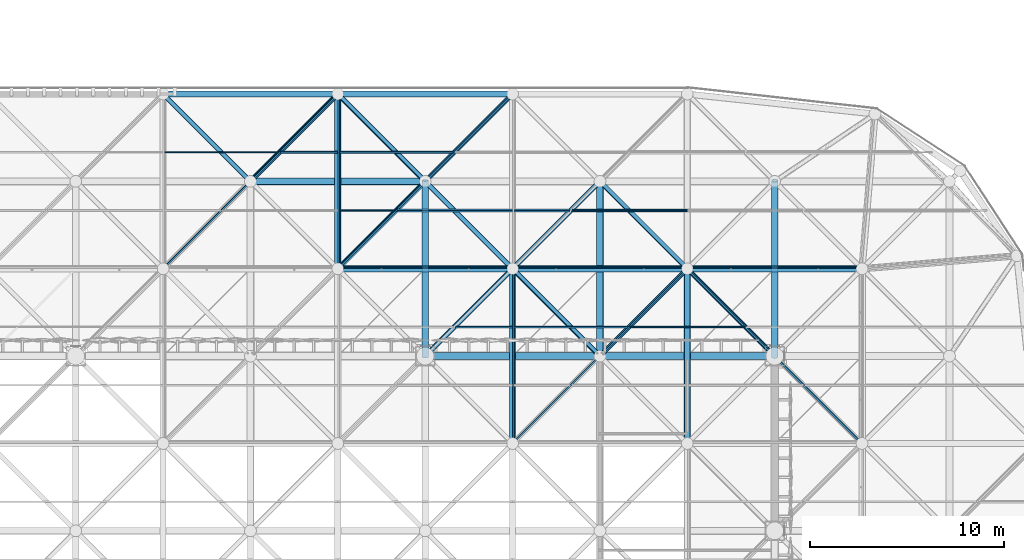
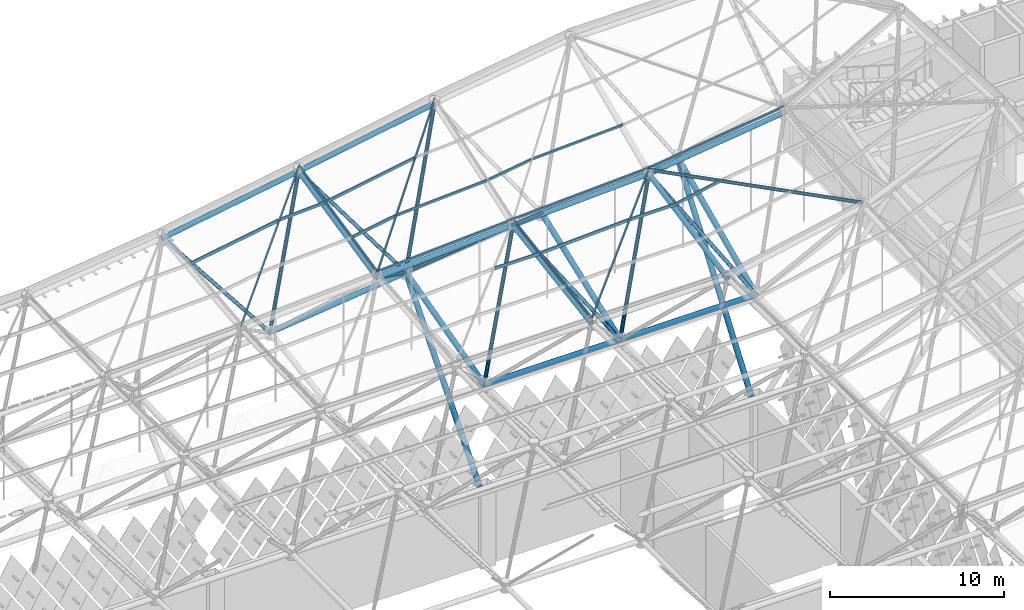
# One storey, part 194 of 437: 48 members.
"""IFC4 building model written with IfcOpenShell, lengths in metres."""

from ifc_helpers import new_model, si_unit, direction, frame, origin, origin_2d, place, context, subcontext, project, spatial, polyline, hollow_circle, outline, extrude, material, material_profile, profile_set, type_object, element, save


model = new_model("IFC4")

# Units and contexts
model_context = context("Model", 3, precision=1e-05, world=origin(), true_north=direction((0.0, 1.0)))
body_context = subcontext(model_context, "Body", "Model", "MODEL_VIEW")
ifc_project = project(units=[si_unit("LENGTHUNIT", "METRE"), si_unit("AREAUNIT", "SQUARE_METRE"), si_unit("VOLUMEUNIT", "CUBIC_METRE"), si_unit("PLANEANGLEUNIT", "RADIAN"), si_unit("MASSUNIT", "GRAM", prefix="KILO")], contexts=[model_context])

# Site, building, storey
site_placement = place(None, origin())
site = spatial("IfcSite", under=ifc_project, at=site_placement, CompositionType="ELEMENT")
building_placement = place(site_placement, origin())
building = spatial("IfcBuilding", under=site, at=building_placement, Name="Opaline Strait Convention Centre", CompositionType="ELEMENT")
storey_placement = place(building_placement, frame((0.0, 0.0, 11.5)))
storey = spatial("IfcBuildingStorey", under=building, at=storey_placement, Name="L02", CompositionType="ELEMENT", Elevation=11.5)

# Members
ifc_material = material(Name="Steel Q355B", Category="steel")
ifc_material_profile_1 = material_profile(ifc_material, hollow_circle(Radius=0.175537109375, WallThickness=0.01611328125, at=origin_2d()), Name="CHS 351x16")
ifc_profile_set_1 = profile_set([ifc_material_profile_1], Name="Steel Q355B")
member_type_1 = type_object("IfcMemberType", Name="Raking prop CHS 351x16", PredefinedType="BRACE", material=ifc_profile_set_1)
member_1_placement = place(storey_placement, frame((243.0, 153.51611328125, 5.0185546875), z_axis=(0.0, 0.651001904669, 0.759076096394), x_axis=(-1.0, 0.0, 0.0)))
element("IfcMember", 1, at=member_1_placement, inside=storey, type_object=member_type_1, Name="Raking prop 243/153 N", PredefinedType="BRACE", context=body_context, shape_type="SweptSolid", body=[
    extrude(hollow_circle(Radius=0.175537109375, WallThickness=0.01611328125, at=origin_2d()), origin(), (0.0, 0.0, 1.0), 13.08203125),
])
member_2_placement = place(storey_placement, frame((261.0, 153.51611328125, 5.02197265625), z_axis=(0.0, 0.58919697761, 0.807989431599), x_axis=(-1.0, 0.0, 0.0)))
element("IfcMember", 2, at=member_2_placement, inside=storey, type_object=member_type_1, Name="Raking prop 261/153 N", PredefinedType="BRACE", context=body_context, shape_type="SweptSolid", body=[
    extrude(hollow_circle(Radius=0.175537109375, WallThickness=0.01611328125, at=origin_2d()), origin(), (0.0, 0.0, 1.0), 14.44921875),
])
ifc_material_profile_2 = material_profile(ifc_material, outline(polyline([(-0.03759765625, -0.125), (0.03759765625, -0.125), (0.03759765625, -0.10498046875), (0.034912109375, -0.10498046875), (0.034912109375, -0.12255859375), (-0.034912109375, -0.12255859375), (-0.034912109375, 0.12255859375), (0.034912109375, 0.12255859375), (0.034912109375, 0.10498046875), (0.03759765625, 0.10498046875), (0.03759765625, 0.125), (-0.03759765625, 0.125), (-0.03759765625, -0.125)])), Name="C 250x75x20x2.5")
ifc_profile_set_2 = profile_set([ifc_material_profile_2], Name="Steel Q355B")
member_type_2 = type_object("IfcMemberType", Name="Roof purlin C 250x75x20x2.5", PredefinedType="PURLIN", material=ifc_profile_set_2)
member_3_placement = place(storey_placement, frame((244.550048828125, 154.5, 19.191650390625), z_axis=(1.0, 0.0, 0.0), x_axis=(0.0, 0.988092083083, 0.153863690806)))
element("IfcMember", 3, at=member_3_placement, inside=storey, type_object=member_type_2, Name="EXB-RF-P-17-12-1a", PredefinedType="PURLIN", context=body_context, shape_type="SweptSolid", body=[
    extrude(outline(polyline([(-0.03759765625, -0.125), (0.03759765625, -0.125), (0.03759765625, -0.10498046875), (0.034912109375, -0.10498046875), (0.034912109375, -0.12255859375), (-0.034912109375, -0.12255859375), (-0.034912109375, 0.12255859375), (0.034912109375, 0.12255859375), (0.034912109375, 0.10498046875), (0.03759765625, 0.10498046875), (0.03759765625, 0.125), (-0.03759765625, 0.125), (-0.03759765625, -0.125)])), origin(), (0.0, 0.0, 1.0), 2.949951171875),
])
member_4_placement = place(storey_placement, frame((247.5, 148.5, 18.255615234375), z_axis=(0.699850097558, 0.699850097558, 0.142897452374), x_axis=(-0.712685495403, 0.697562775149, 0.074064562165)))
element("IfcMember", 4, at=member_4_placement, inside=storey, type_object=member_type_2, Name="EXB-RF-F-18-12", PredefinedType="PURLIN", context=body_context, shape_type="SweptSolid", body=[
    extrude(outline(polyline([(-0.03759765625, -0.125), (0.03759765625, -0.125), (0.03759765625, -0.10498046875), (0.034912109375, -0.10498046875), (0.034912109375, -0.12255859375), (-0.034912109375, -0.12255859375), (-0.034912109375, 0.12255859375), (0.034912109375, 0.12255859375), (0.034912109375, 0.10498046875), (0.03759765625, 0.10498046875), (0.03759765625, 0.125), (-0.03759765625, 0.125), (-0.03759765625, -0.125)])), origin(), (0.0, 0.0, 1.0), 12.85986328125),
])
member_5_placement = place(storey_placement, frame((253.550048828125, 154.5, 19.48291015625), z_axis=(1.0, 0.0, 0.0), x_axis=(0.0, 0.97978004307, 0.200077652928)))
element("IfcMember", 5, at=member_5_placement, inside=storey, type_object=member_type_2, Name="EXB-RF-P-18-12-1a", PredefinedType="PURLIN", context=body_context, shape_type="SweptSolid", body=[
    extrude(outline(polyline([(-0.03759765625, -0.125), (0.03759765625, -0.125), (0.03759765625, -0.10498046875), (0.034912109375, -0.10498046875), (0.034912109375, -0.12255859375), (-0.034912109375, -0.12255859375), (-0.034912109375, 0.12255859375), (0.034912109375, 0.12255859375), (0.034912109375, 0.10498046875), (0.03759765625, 0.10498046875), (0.03759765625, 0.125), (-0.03759765625, 0.125), (-0.03759765625, -0.125)])), origin(), (0.0, 0.0, 1.0), 2.949951171875),
])
member_6_placement = place(storey_placement, frame((247.545654296875, 148.449951171875, 18.251953125), z_axis=(0.0, 0.988093016125, 0.153857698814), x_axis=(-0.998854157138, 0.007363297001, -0.047287996623)))
element("IfcMember", 6, at=member_6_placement, inside=storey, type_object=member_type_2, Name="EXB-RF-E-18-12b", PredefinedType="PURLIN", context=body_context, shape_type="SweptSolid", body=[
    extrude(outline(polyline([(-0.03759765625, -0.125), (0.03759765625, -0.125), (0.03759765625, -0.10498046875), (0.034912109375, -0.10498046875), (0.034912109375, -0.12255859375), (-0.034912109375, -0.12255859375), (-0.034912109375, 0.12255859375), (0.034912109375, 0.12255859375), (0.034912109375, 0.10498046875), (0.03759765625, 0.10498046875), (0.03759765625, 0.125), (-0.03759765625, 0.125), (-0.03759765625, -0.125)])), origin(), (0.0, 0.0, 1.0), 9.209716796875),
])
member_7_placement = place(storey_placement, frame((247.580322265625, 154.5, 19.19580078125), z_axis=(0.998826020223, 0.0, 0.048441524814), x_axis=(-0.007453391796, 0.988092083083, 0.153683057944)))
element("IfcMember", 7, at=member_7_placement, inside=storey, type_object=member_type_2, Name="EXB-RF-P-18-12-1b", PredefinedType="PURLIN", context=body_context, shape_type="SweptSolid", body=[
    extrude(outline(polyline([(-0.03759765625, -0.125), (0.03759765625, -0.125), (0.03759765625, -0.10498046875), (0.034912109375, -0.10498046875), (0.034912109375, -0.12255859375), (-0.034912109375, -0.12255859375), (-0.034912109375, 0.12255859375), (0.034912109375, 0.12255859375), (0.034912109375, 0.10498046875), (0.03759765625, 0.10498046875), (0.03759765625, 0.125), (-0.03759765625, 0.125), (-0.03759765625, -0.125)])), origin(), (0.0, 0.0, 1.0), 5.87646484375),
])
member_8_placement = place(storey_placement, frame((265.5, 148.5, 20.094970703125), z_axis=(-0.707106781187, 0.707106781187, 0.0), x_axis=(-0.695418880638, -0.695418880638, -0.181066730526)))
element("IfcMember", 8, at=member_8_placement, inside=storey, type_object=member_type_2, Name="EXB-RF-F-19-12", PredefinedType="PURLIN", context=body_context, shape_type="SweptSolid", body=[
    extrude(outline(polyline([(-0.03759765625, -0.125), (0.03759765625, -0.125), (0.03759765625, -0.10498046875), (0.034912109375, -0.10498046875), (0.034912109375, -0.12255859375), (-0.034912109375, -0.12255859375), (-0.034912109375, 0.12255859375), (0.034912109375, 0.12255859375), (0.034912109375, 0.10498046875), (0.03759765625, 0.10498046875), (0.03759765625, 0.125), (-0.03759765625, 0.125), (-0.03759765625, -0.125)])), origin(), (0.0, 0.0, 1.0), 12.72802734375),
])
member_9_placement = place(storey_placement, frame((256.5, 154.5, 19.485595703125), z_axis=(0.97978687137, 0.0, 0.200044211841), x_axis=(-0.040024376387, 0.97978004307, 0.196033457593)))
element("IfcMember", 9, at=member_9_placement, inside=storey, type_object=member_type_2, Name="EXB-RF-P-19-12-1b", PredefinedType="PURLIN", context=body_context, shape_type="SweptSolid", body=[
    extrude(outline(polyline([(-0.03759765625, -0.125), (0.03759765625, -0.125), (0.03759765625, -0.10498046875), (0.034912109375, -0.10498046875), (0.034912109375, -0.12255859375), (-0.034912109375, -0.12255859375), (-0.034912109375, 0.12255859375), (0.034912109375, 0.12255859375), (0.034912109375, 0.10498046875), (0.03759765625, 0.10498046875), (0.03759765625, 0.125), (-0.03759765625, 0.125), (-0.03759765625, -0.125)])), origin(), (0.0, 0.0, 1.0), 3.0107421875),
])
member_10_placement = place(storey_placement, frame((229.5, 157.5, 18.656494140625), z_axis=(0.694204223982, 0.694204223982, 0.190160434401), x_axis=(-0.717833830455, 0.687135763969, 0.112067094763)))
element("IfcMember", 10, at=member_10_placement, inside=storey, type_object=member_type_2, Name="EXB-RF-F-16-13", PredefinedType="PURLIN", context=body_context, shape_type="SweptSolid", body=[
    extrude(outline(polyline([(-0.03759765625, -0.125), (0.03759765625, -0.125), (0.03759765625, -0.10498046875), (0.034912109375, -0.10498046875), (0.034912109375, -0.12255859375), (-0.034912109375, -0.12255859375), (-0.034912109375, 0.12255859375), (0.034912109375, 0.12255859375), (0.034912109375, 0.10498046875), (0.03759765625, 0.10498046875), (0.03759765625, 0.125), (-0.03759765625, 0.125), (-0.03759765625, -0.125)])), origin(), (0.0, 0.0, 1.0), 12.964599609375),
])
member_11_placement = place(storey_placement, frame((235.550048828125, 163.5, 20.30615234375), z_axis=(0.998533955365, 0.0, 0.054128920033), x_axis=(-0.011616101995, 0.976701876974, 0.214286046418)))
element("IfcMember", 11, at=member_11_placement, inside=storey, type_object=member_type_2, Name="EXB-RF-P-16-13-1a", PredefinedType="PURLIN", context=body_context, shape_type="SweptSolid", body=[
    extrude(outline(polyline([(-0.03759765625, -0.125), (0.03759765625, -0.125), (0.03759765625, -0.10498046875), (0.034912109375, -0.10498046875), (0.034912109375, -0.12255859375), (-0.034912109375, -0.12255859375), (-0.034912109375, 0.12255859375), (0.034912109375, 0.12255859375), (0.034912109375, 0.10498046875), (0.03759765625, 0.10498046875), (0.03759765625, 0.125), (-0.03759765625, 0.125), (-0.03759765625, -0.125)])), origin(), (0.0, 0.0, 1.0), 2.954345703125),
])
member_12_placement = place(storey_placement, frame((229.594482421875, 163.5, 19.30224609375), z_axis=(0.985905248574, 0.0, 0.167304634827), x_axis=(-0.017342598278, 0.994612915883, 0.102197758502)))
element("IfcMember", 12, at=member_12_placement, inside=storey, type_object=member_type_2, Name="EXB-RF-P-16-13-1b", PredefinedType="PURLIN", context=body_context, shape_type="SweptSolid", body=[
    extrude(outline(polyline([(-0.03759765625, -0.125), (0.03759765625, -0.125), (0.03759765625, -0.10498046875), (0.034912109375, -0.10498046875), (0.034912109375, -0.12255859375), (-0.034912109375, -0.12255859375), (-0.034912109375, 0.12255859375), (0.034912109375, 0.12255859375), (0.034912109375, 0.10498046875), (0.03759765625, 0.10498046875), (0.03759765625, 0.125), (-0.03759765625, 0.125), (-0.03759765625, -0.125)])), origin(), (0.0, 0.0, 1.0), 5.939208984375),
])
member_13_placement = place(storey_placement, frame((238.5, 157.5, 19.144287109375), z_axis=(0.680936695779, 0.680936695779, 0.269537442079), x_axis=(-0.712454430671, 0.701135507774, 0.028595173634)))
element("IfcMember", 13, at=member_13_placement, inside=storey, type_object=member_type_2, Name="EXB-RF-F-17-13", PredefinedType="PURLIN", context=body_context, shape_type="SweptSolid", body=[
    extrude(outline(polyline([(-0.03759765625, -0.125), (0.03759765625, -0.125), (0.03759765625, -0.10498046875), (0.034912109375, -0.10498046875), (0.034912109375, -0.12255859375), (-0.034912109375, -0.12255859375), (-0.034912109375, 0.12255859375), (0.034912109375, 0.12255859375), (0.034912109375, 0.10498046875), (0.03759765625, 0.10498046875), (0.03759765625, 0.125), (-0.03759765625, 0.125), (-0.03759765625, -0.125)])), origin(), (0.0, 0.0, 1.0), 13.217041015625),
])
member_14_placement = place(storey_placement, frame((238.449951171875, 157.578369140625, 19.1728515625), z_axis=(0.998387986056, 0.0, 0.056757636488), x_axis=(-0.018193669941, 0.947231539522, 0.320033437174)))
element("IfcMember", 14, at=member_14_placement, inside=storey, type_object=member_type_2, Name="EXB-RF-E-17-13a", PredefinedType="PURLIN", context=body_context, shape_type="SweptSolid", body=[
    extrude(outline(polyline([(-0.03759765625, -0.125), (0.03759765625, -0.125), (0.03759765625, -0.10498046875), (0.034912109375, -0.10498046875), (0.034912109375, -0.12255859375), (-0.034912109375, -0.12255859375), (-0.034912109375, 0.12255859375), (0.034912109375, 0.12255859375), (0.034912109375, 0.10498046875), (0.03759765625, 0.10498046875), (0.03759765625, 0.125), (-0.03759765625, 0.125), (-0.03759765625, -0.125)])), origin(), (0.0, 0.0, 1.0), 9.11474609375),
])
member_15_placement = place(storey_placement, frame((241.550048828125, 160.5, 20.33935546875), z_axis=(0.998389085659, 0.0, 0.056738290741), x_axis=(-0.01821382469, 0.94707421578, 0.320497560669)))
element("IfcMember", 15, at=member_15_placement, inside=storey, type_object=member_type_2, Name="EXB-RF-P-17-13-0a", PredefinedType="PURLIN", context=body_context, shape_type="SweptSolid", body=[
    extrude(outline(polyline([(-0.03759765625, -0.125), (0.03759765625, -0.125), (0.03759765625, -0.10498046875), (0.034912109375, -0.10498046875), (0.034912109375, -0.12255859375), (-0.034912109375, -0.12255859375), (-0.034912109375, 0.12255859375), (0.034912109375, 0.12255859375), (0.034912109375, 0.10498046875), (0.03759765625, 0.10498046875), (0.03759765625, 0.125), (-0.03759765625, 0.125), (-0.03759765625, -0.125)])), origin(), (0.0, 0.0, 1.0), 5.95947265625),
])
member_16_placement = place(storey_placement, frame((238.560302734375, 157.449951171875, 19.149169921875), z_axis=(0.0, 0.976700958406, 0.214604841159), x_axis=(-0.985529741381, 0.036376076933, -0.165553344517)))
element("IfcMember", 16, at=member_16_placement, inside=storey, type_object=member_type_2, Name="EXB-RF-E-17-13b", PredefinedType="PURLIN", context=body_context, shape_type="SweptSolid", body=[
    extrude(outline(polyline([(-0.03759765625, -0.125), (0.03759765625, -0.125), (0.03759765625, -0.10498046875), (0.034912109375, -0.10498046875), (0.034912109375, -0.12255859375), (-0.034912109375, -0.12255859375), (-0.034912109375, 0.12255859375), (0.034912109375, 0.12255859375), (0.034912109375, 0.10498046875), (0.03759765625, 0.10498046875), (0.03759765625, 0.125), (-0.03759765625, 0.125), (-0.03759765625, -0.125)])), origin(), (0.0, 0.0, 1.0), 9.317138671875),
])
member_17_placement = place(storey_placement, frame((238.5947265625, 160.5, 19.8251953125), z_axis=(0.984838613321, 0.0, 0.173473069127), x_axis=(-0.037227435225, 0.976701876974, 0.211347016969)))
element("IfcMember", 17, at=member_17_placement, inside=storey, type_object=member_type_2, Name="EXB-RF-P-17-13-0b", PredefinedType="PURLIN", context=body_context, shape_type="SweptSolid", body=[
    extrude(outline(polyline([(-0.03759765625, -0.125), (0.03759765625, -0.125), (0.03759765625, -0.10498046875), (0.034912109375, -0.10498046875), (0.034912109375, -0.12255859375), (-0.034912109375, -0.12255859375), (-0.034912109375, 0.12255859375), (0.034912109375, 0.12255859375), (0.034912109375, 0.10498046875), (0.03759765625, 0.10498046875), (0.03759765625, 0.125), (-0.03759765625, 0.125), (-0.03759765625, -0.125)])), origin(), (0.0, 0.0, 1.0), 2.899169921875),
])
member_18_placement = place(storey_placement, frame((238.5947265625, 163.5, 20.484375), z_axis=(0.984841792486, 0.0, 0.17345501945), x_axis=(-0.037223561752, 0.976701876974, 0.21134769922)))
element("IfcMember", 18, at=member_18_placement, inside=storey, type_object=member_type_2, Name="EXB-RF-P-17-13-1b", PredefinedType="PURLIN", context=body_context, shape_type="SweptSolid", body=[
    extrude(outline(polyline([(-0.03759765625, -0.125), (0.03759765625, -0.125), (0.03759765625, -0.10498046875), (0.034912109375, -0.10498046875), (0.034912109375, -0.12255859375), (-0.034912109375, -0.12255859375), (-0.034912109375, 0.12255859375), (0.034912109375, 0.12255859375), (0.034912109375, 0.10498046875), (0.03759765625, 0.10498046875), (0.03759765625, 0.125), (-0.03759765625, 0.125), (-0.03759765625, -0.125)])), origin(), (0.0, 0.0, 1.0), 5.9453125),
])
member_19_placement = place(storey_placement, frame((247.449951171875, 157.58837890625, 19.698486328125), z_axis=(0.99882696864, 0.0, 0.048421965239), x_axis=(-0.019477416429, 0.915532762336, 0.401771566115)))
element("IfcMember", 19, at=member_19_placement, inside=storey, type_object=member_type_2, Name="EXB-RF-E-18-13a", PredefinedType="PURLIN", context=body_context, shape_type="SweptSolid", body=[
    extrude(outline(polyline([(-0.03759765625, -0.125), (0.03759765625, -0.125), (0.03759765625, -0.10498046875), (0.034912109375, -0.10498046875), (0.034912109375, -0.12255859375), (-0.034912109375, -0.12255859375), (-0.034912109375, 0.12255859375), (0.034912109375, 0.12255859375), (0.034912109375, 0.10498046875), (0.03759765625, 0.10498046875), (0.03759765625, 0.125), (-0.03759765625, 0.125), (-0.03759765625, -0.125)])), origin(), (0.0, 0.0, 1.0), 9.11083984375),
])
member_20_placement = place(storey_placement, frame((250.550048828125, 160.5, 21.129638671875), z_axis=(0.998827915203, 0.0, 0.048402436004), x_axis=(-0.01948874005, 0.915358568875, 0.402167725456)))
element("IfcMember", 20, at=member_20_placement, inside=storey, type_object=member_type_2, Name="EXB-RF-P-18-13-0a", PredefinedType="PURLIN", context=body_context, shape_type="SweptSolid", body=[
    extrude(outline(polyline([(-0.03759765625, -0.125), (0.03759765625, -0.125), (0.03759765625, -0.10498046875), (0.034912109375, -0.10498046875), (0.034912109375, -0.12255859375), (-0.034912109375, -0.12255859375), (-0.034912109375, 0.12255859375), (0.034912109375, 0.12255859375), (0.034912109375, 0.10498046875), (0.03759765625, 0.10498046875), (0.03759765625, 0.125), (-0.03759765625, 0.125), (-0.03759765625, -0.125)])), origin(), (0.0, 0.0, 1.0), 5.95703125),
])
member_21_placement = place(storey_placement, frame((247.59130859375, 160.5, 20.6923828125), z_axis=(0.989027242431, 0.0, 0.147733251944), x_axis=(-0.047424543755, 0.94707421578, 0.317492271488)))
element("IfcMember", 21, at=member_21_placement, inside=storey, type_object=member_type_2, Name="EXB-RF-P-18-13-0b", PredefinedType="PURLIN", context=body_context, shape_type="SweptSolid", body=[
    extrude(outline(polyline([(-0.03759765625, -0.125), (0.03759765625, -0.125), (0.03759765625, -0.10498046875), (0.034912109375, -0.10498046875), (0.034912109375, -0.12255859375), (-0.034912109375, -0.12255859375), (-0.034912109375, 0.12255859375), (0.034912109375, 0.12255859375), (0.034912109375, 0.10498046875), (0.03759765625, 0.10498046875), (0.03759765625, 0.125), (-0.03759765625, 0.125), (-0.03759765625, -0.125)])), origin(), (0.0, 0.0, 1.0), 2.890380859375),
])
member_22_placement = place(storey_placement, frame((256.449951171875, 157.587890625, 20.131591796875), z_axis=(0.991630499032, 0.0, 0.129108301009), x_axis=(-0.051618787349, 0.916598046716, 0.39646377079)))
element("IfcMember", 22, at=member_22_placement, inside=storey, type_object=member_type_2, Name="EXB-RF-E-19-13b", PredefinedType="PURLIN", context=body_context, shape_type="SweptSolid", body=[
    extrude(outline(polyline([(-0.03759765625, -0.125), (0.03759765625, -0.125), (0.03759765625, -0.10498046875), (0.034912109375, -0.10498046875), (0.034912109375, -0.12255859375), (-0.034912109375, -0.12255859375), (-0.034912109375, 0.12255859375), (0.034912109375, 0.12255859375), (0.034912109375, 0.10498046875), (0.03759765625, 0.10498046875), (0.03759765625, 0.125), (-0.03759765625, 0.125), (-0.03759765625, -0.125)])), origin(), (0.0, 0.0, 1.0), 9.177001953125),
])
ifc_material_profile_3 = material_profile(ifc_material, hollow_circle(Radius=0.175537109375, WallThickness=0.01611328125, at=origin_2d()), Name="CHS 351x16")
ifc_profile_set_3 = profile_set([ifc_material_profile_3], Name="Steel Q355B")
member_type_3 = type_object("IfcMemberType", Name="Space frame bottom chord CHS 351x16", PredefinedType="CHORD", material=ifc_profile_set_3)
for number, where, z_axis, x_axis, name in (
    (23, (242.949951171875, 153.0, 12.5), (1.0, 0.0, 0.0), (0.0, 1.0, 0.0), "EXB-RF-BX-17-12"),
    (24, (251.949951171875, 153.0, 12.5), (1.0, 0.0, 0.0), (0.0, 1.0, 0.0), "EXB-RF-BX-18-12"),
):
    element("IfcMember", number, at=place(storey_placement, frame(where, z_axis=z_axis, x_axis=x_axis)), inside=storey, type_object=member_type_3, Name=name, PredefinedType="CHORD", context=body_context, shape_type="SweptSolid", body=[
        extrude(hollow_circle(Radius=0.175537109375, WallThickness=0.01611328125, at=origin_2d()), origin(), (0.0, 0.0, 1.0), 9.10009765625),
    ])
member_23_placement = place(storey_placement, frame((233.950439453125, 162.0, 13.8486328125), z_axis=(0.993180584954, 0.0, 0.116586129841), x_axis=(0.0, 1.0, 0.0)))
element("IfcMember", 25, at=member_23_placement, inside=storey, type_object=member_type_3, Name="EXB-RF-BX-16-13", PredefinedType="CHORD", context=body_context, shape_type="SweptSolid", body=[
    extrude(hollow_circle(Radius=0.175537109375, WallThickness=0.01611328125, at=origin_2d()), origin(), (0.0, 0.0, 1.0), 9.16162109375),
])
member_24_placement = place(storey_placement, frame((243.0, 152.95166015625, 12.487060546875), z_axis=(0.0, 0.965943886193, 0.258751635215), x_axis=(-1.0, 0.0, 0.0)))
element("IfcMember", 26, at=member_24_placement, inside=storey, type_object=member_type_3, Name="EXB-RF-BY-17-12", PredefinedType="CHORD", context=body_context, shape_type="SweptSolid", body=[
    extrude(hollow_circle(Radius=0.175537109375, WallThickness=0.01611328125, at=origin_2d()), origin(), (0.0, 0.0, 1.0), 9.41748046875),
])
member_25_placement = place(storey_placement, frame((252.0, 152.953125, 12.482421875), z_axis=(0.0, 0.935426145713, 0.353522171746), x_axis=(-1.0, 0.0, 0.0)))
element("IfcMember", 27, at=member_25_placement, inside=storey, type_object=member_type_3, Name="EXB-RF-BY-18-12", PredefinedType="CHORD", context=body_context, shape_type="SweptSolid", body=[
    extrude(hollow_circle(Radius=0.175537109375, WallThickness=0.01611328125, at=origin_2d()), origin(), (0.0, 0.0, 1.0), 9.721435546875),
])
member_26_placement = place(storey_placement, frame((261.0, 152.95458984375, 12.47900390625), z_axis=(0.0, 0.907855885671, 0.419282352183), x_axis=(-1.0, 0.0, 0.0)))
element("IfcMember", 28, at=member_26_placement, inside=storey, type_object=member_type_3, Name="EXB-RF-BY-19-12", PredefinedType="CHORD", context=body_context, shape_type="SweptSolid", body=[
    extrude(hollow_circle(Radius=0.175537109375, WallThickness=0.01611328125, at=origin_2d()), origin(), (0.0, 0.0, 1.0), 10.013427734375),
])
ifc_material_profile_4 = material_profile(ifc_material, hollow_circle(Radius=0.16259765625, WallThickness=0.013916015625, at=origin_2d()), Name="CHS 325x14")
ifc_profile_set_4 = profile_set([ifc_material_profile_4], Name="Steel Q355B")
member_type_4 = type_object("IfcMemberType", Name="Space frame top chord CHS 325x14", PredefinedType="CHORD", material=ifc_profile_set_4)
member_27_placement = place(storey_placement, frame((229.45068359375, 166.5, 19.302978515625), z_axis=(0.985901966255, 0.0, 0.167323975973), x_axis=(0.0, 1.0, 0.0)))
element("IfcMember", 29, at=member_27_placement, inside=storey, type_object=member_type_4, Name="EXB-RF-TX-16-14", PredefinedType="CHORD", context=body_context, shape_type="SweptSolid", body=[
    extrude(hollow_circle(Radius=0.16259765625, WallThickness=0.013916015625, at=origin_2d()), origin(), (0.0, 0.0, 1.0), 9.228759765625),
])
ifc_material_profile_5 = material_profile(ifc_material, hollow_circle(Radius=0.16259765625, WallThickness=0.02001953125, at=origin_2d()), Name="CHS 325x20")
ifc_profile_set_5 = profile_set([ifc_material_profile_5], Name="Steel Q355B")
member_type_5 = type_object("IfcMemberType", Name="Space frame top chord CHS 325x20", PredefinedType="CHORD", material=ifc_profile_set_5)
member_28_placement = place(storey_placement, frame((238.4501953125, 157.5, 18.8583984375), z_axis=(0.998387813469, 0.0, 0.056760672267), x_axis=(0.0, 1.0, 0.0)))
element("IfcMember", 30, at=member_28_placement, inside=storey, type_object=member_type_5, Name="EXB-RF-TX-17-13", PredefinedType="CHORD", context=body_context, shape_type="SweptSolid", body=[
    extrude(hollow_circle(Radius=0.16259765625, WallThickness=0.02001953125, at=origin_2d()), origin(), (0.0, 0.0, 1.0), 9.1142578125),
])
member_29_placement = place(storey_placement, frame((247.449951171875, 157.5, 19.37060546875), z_axis=(0.99882696864, 0.0, 0.048421965239), x_axis=(0.0, 1.0, 0.0)))
element("IfcMember", 31, at=member_29_placement, inside=storey, type_object=member_type_5, Name="EXB-RF-TX-18-13", PredefinedType="CHORD", context=body_context, shape_type="SweptSolid", body=[
    extrude(hollow_circle(Radius=0.16259765625, WallThickness=0.02001953125, at=origin_2d()), origin(), (0.0, 0.0, 1.0), 9.11083984375),
])
member_30_placement = place(storey_placement, frame((256.450439453125, 157.5, 19.802978515625), z_axis=(0.991632131326, 0.0, 0.129095763381), x_axis=(0.0, 1.0, 0.0)))
element("IfcMember", 32, at=member_30_placement, inside=storey, type_object=member_type_5, Name="EXB-RF-TX-19-13", PredefinedType="CHORD", context=body_context, shape_type="SweptSolid", body=[
    extrude(hollow_circle(Radius=0.16259765625, WallThickness=0.02001953125, at=origin_2d()), origin(), (0.0, 0.0, 1.0), 9.176025390625),
])
member_31_placement = place(storey_placement, frame((238.45068359375, 166.5, 20.830078125), z_axis=(0.984849995483, 0.0, 0.17340843808), x_axis=(0.0, 1.0, 0.0)))
element("IfcMember", 33, at=member_31_placement, inside=storey, type_object=member_type_5, Name="EXB-RF-TX-17-14", PredefinedType="CHORD", context=body_context, shape_type="SweptSolid", body=[
    extrude(hollow_circle(Radius=0.16259765625, WallThickness=0.02001953125, at=origin_2d()), origin(), (0.0, 0.0, 1.0), 9.238525390625),
])
member_32_placement = place(storey_placement, frame((238.5, 157.451171875, 18.8505859375), z_axis=(0.0, 0.976705368416, 0.214584769515), x_axis=(-1.0, 0.0, 0.0)))
element("IfcMember", 34, at=member_32_placement, inside=storey, type_object=member_type_5, Name="EXB-RF-TY-17-13", PredefinedType="CHORD", context=body_context, shape_type="SweptSolid", body=[
    extrude(hollow_circle(Radius=0.16259765625, WallThickness=0.02001953125, at=origin_2d()), origin(), (0.0, 0.0, 1.0), 9.314697265625),
])
member_33_placement = place(storey_placement, frame((247.5, 148.45068359375, 17.9638671875), z_axis=(0.0, 0.988093281059, 0.15385599737), x_axis=(-1.0, 0.0, 0.0)))
element("IfcMember", 35, at=member_33_placement, inside=storey, type_object=member_type_5, Name="EXB-RF-TY-18-12", PredefinedType="CHORD", context=body_context, shape_type="SweptSolid", body=[
    extrude(hollow_circle(Radius=0.16259765625, WallThickness=0.02001953125, at=origin_2d()), origin(), (0.0, 0.0, 1.0), 9.208251953125),
])
member_34_placement = place(storey_placement, frame((256.5, 148.450927734375, 17.96142578125), z_axis=(0.0, 0.979779873088, 0.200078485327), x_axis=(-1.0, 0.0, 0.0)))
element("IfcMember", 36, at=member_34_placement, inside=storey, type_object=member_type_5, Name="EXB-RF-TY-19-12", PredefinedType="CHORD", context=body_context, shape_type="SweptSolid", body=[
    extrude(hollow_circle(Radius=0.16259765625, WallThickness=0.02001953125, at=origin_2d()), origin(), (0.0, 0.0, 1.0), 9.285888671875),
])
ifc_material_profile_6 = material_profile(ifc_material, hollow_circle(Radius=0.12255859375, WallThickness=0.011962890625, at=origin_2d()), Name="CHS 245x12")
ifc_profile_set_6 = profile_set([ifc_material_profile_6], Name="Steel Q355B")
member_type_6 = type_object("IfcMemberType", Name="Space frame web CHS 245x12", PredefinedType="BRACE", material=ifc_profile_set_6)
member_35_placement = place(storey_placement, frame((229.47314453125, 166.52685546875, 19.343994140625), z_axis=(0.53679140387, -0.53679140387, -0.650930086464), x_axis=(0.707106781187, 0.707106781187, 0.0)))
element("IfcMember", 37, at=member_35_placement, inside=storey, type_object=member_type_6, Name="EXB-RF-W-16-13-01", PredefinedType="BRACE", context=body_context, shape_type="SweptSolid", body=[
    extrude(hollow_circle(Radius=0.12255859375, WallThickness=0.011962890625, at=origin_2d()), origin(), (0.0, 0.0, 1.0), 8.483154296875),
])
member_36_placement = place(storey_placement, frame((238.52392578125, 166.52392578125, 20.875732421875), z_axis=(-0.47626636673, -0.47626636673, -0.739148629062), x_axis=(0.707106781187, -0.707106781187, 0.0)))
element("IfcMember", 38, at=member_36_placement, inside=storey, type_object=member_type_6, Name="EXB-RF-W-16-13-11", PredefinedType="BRACE", context=body_context, shape_type="SweptSolid", body=[
    extrude(hollow_circle(Radius=0.12255859375, WallThickness=0.011962890625, at=origin_2d()), origin(), (0.0, 0.0, 1.0), 9.549072265625),
])
member_37_placement = place(storey_placement, frame((247.52392578125, 157.52392578125, 19.40966796875), z_axis=(-0.480409370333, -0.480409370333, -0.733766770706), x_axis=(0.707106781187, -0.707106781187, 0.0)))
element("IfcMember", 39, at=member_37_placement, inside=storey, type_object=member_type_6, Name="EXB-RF-W-17-12-11", PredefinedType="BRACE", context=body_context, shape_type="SweptSolid", body=[
    extrude(hollow_circle(Radius=0.12255859375, WallThickness=0.011962890625, at=origin_2d()), origin(), (0.0, 0.0, 1.0), 9.466552734375),
])
member_38_placement = place(storey_placement, frame((238.469970703125, 157.469970703125, 18.8876953125), z_axis=(0.600769193716, 0.600769193716, -0.527401888283), x_axis=(-0.707106781187, 0.707106781187, 0.0)))
element("IfcMember", 40, at=member_38_placement, inside=storey, type_object=member_type_6, Name="EXB-RF-W-17-13-00", PredefinedType="BRACE", context=body_context, shape_type="SweptSolid", body=[
    extrude(hollow_circle(Radius=0.12255859375, WallThickness=0.011962890625, at=origin_2d()), origin(), (0.0, 0.0, 1.0), 7.59033203125),
])
member_39_placement = place(storey_placement, frame((238.47412109375, 166.52587890625, 20.872802734375), z_axis=(0.517411806028, -0.517411806028, -0.681593754347), x_axis=(0.707106781187, 0.707106781187, 0.0)))
element("IfcMember", 41, at=member_39_placement, inside=storey, type_object=member_type_6, Name="EXB-RF-W-17-13-01", PredefinedType="BRACE", context=body_context, shape_type="SweptSolid", body=[
    extrude(hollow_circle(Radius=0.12255859375, WallThickness=0.011962890625, at=origin_2d()), origin(), (0.0, 0.0, 1.0), 8.797119140625),
])
member_40_placement = place(storey_placement, frame((247.529052734375, 157.470947265625, 19.401611328125), z_axis=(-0.578978904854, 0.578978904854, -0.574079136939), x_axis=(-0.707106781187, -0.707106781187, 0.0)))
element("IfcMember", 42, at=member_40_placement, inside=storey, type_object=member_type_6, Name="EXB-RF-W-17-13-10", PredefinedType="BRACE", context=body_context, shape_type="SweptSolid", body=[
    extrude(hollow_circle(Radius=0.12255859375, WallThickness=0.011962890625, at=origin_2d()), origin(), (0.0, 0.0, 1.0), 7.87255859375),
])
member_41_placement = place(storey_placement, frame((247.52294921875, 166.52294921875, 22.461669921875), z_axis=(-0.457053151729, -0.457053151729, -0.763023481283), x_axis=(0.707106781187, -0.707106781187, 0.0)))
element("IfcMember", 43, at=member_41_placement, inside=storey, type_object=member_type_6, Name="EXB-RF-W-17-13-11", PredefinedType="BRACE", context=body_context, shape_type="SweptSolid", body=[
    extrude(hollow_circle(Radius=0.12255859375, WallThickness=0.011962890625, at=origin_2d()), origin(), (0.0, 0.0, 1.0), 9.946044921875),
])
member_42_placement = place(storey_placement, frame((247.47607421875, 157.52392578125, 19.40966796875), z_axis=(0.480409370333, -0.480409370333, -0.733766770706), x_axis=(0.707106781187, 0.707106781187, 0.0)))
element("IfcMember", 44, at=member_42_placement, inside=storey, type_object=member_type_6, Name="EXB-RF-W-18-12-01", PredefinedType="BRACE", context=body_context, shape_type="SweptSolid", body=[
    extrude(hollow_circle(Radius=0.12255859375, WallThickness=0.011962890625, at=origin_2d()), origin(), (0.0, 0.0, 1.0), 9.466552734375),
])
member_43_placement = place(storey_placement, frame((256.523193359375, 157.523193359375, 19.84716796875), z_axis=(-0.464318393321, -0.464318393321, -0.754199482396), x_axis=(0.707106781187, -0.707106781187, 0.0)))
element("IfcMember", 45, at=member_43_placement, inside=storey, type_object=member_type_6, Name="EXB-RF-W-18-12-11", PredefinedType="BRACE", context=body_context, shape_type="SweptSolid", body=[
    extrude(hollow_circle(Radius=0.12255859375, WallThickness=0.011962890625, at=origin_2d()), origin(), (0.0, 0.0, 1.0), 9.79150390625),
])
member_44_placement = place(storey_placement, frame((247.468994140625, 157.468994140625, 19.39697265625), z_axis=(0.620747928785, 0.620747928785, -0.478898755291), x_axis=(-0.707106781187, 0.707106781187, 0.0)))
element("IfcMember", 46, at=member_44_placement, inside=storey, type_object=member_type_6, Name="EXB-RF-W-18-13-00", PredefinedType="BRACE", context=body_context, shape_type="SweptSolid", body=[
    extrude(hollow_circle(Radius=0.12255859375, WallThickness=0.011962890625, at=origin_2d()), origin(), (0.0, 0.0, 1.0), 7.34912109375),
])
member_45_placement = place(storey_placement, frame((256.530029296875, 157.469970703125, 19.83544921875), z_axis=(-0.60256121026, 0.60256121026, -0.523297215528), x_axis=(-0.707106781187, -0.707106781187, 0.0)))
element("IfcMember", 47, at=member_45_placement, inside=storey, type_object=member_type_6, Name="EXB-RF-W-18-13-10", PredefinedType="BRACE", context=body_context, shape_type="SweptSolid", body=[
    extrude(hollow_circle(Radius=0.12255859375, WallThickness=0.011962890625, at=origin_2d()), origin(), (0.0, 0.0, 1.0), 7.56787109375),
])
member_46_placement = place(storey_placement, frame((256.476806640625, 157.523193359375, 19.84716796875), z_axis=(0.464318393321, -0.464318393321, -0.754199482396), x_axis=(0.707106781187, 0.707106781187, 0.0)))
element("IfcMember", 48, at=member_46_placement, inside=storey, type_object=member_type_6, Name="EXB-RF-W-19-12-01", PredefinedType="BRACE", context=body_context, shape_type="SweptSolid", body=[
    extrude(hollow_circle(Radius=0.12255859375, WallThickness=0.011962890625, at=origin_2d()), origin(), (0.0, 0.0, 1.0), 9.79150390625),
])

save(model, "model.ifc")
